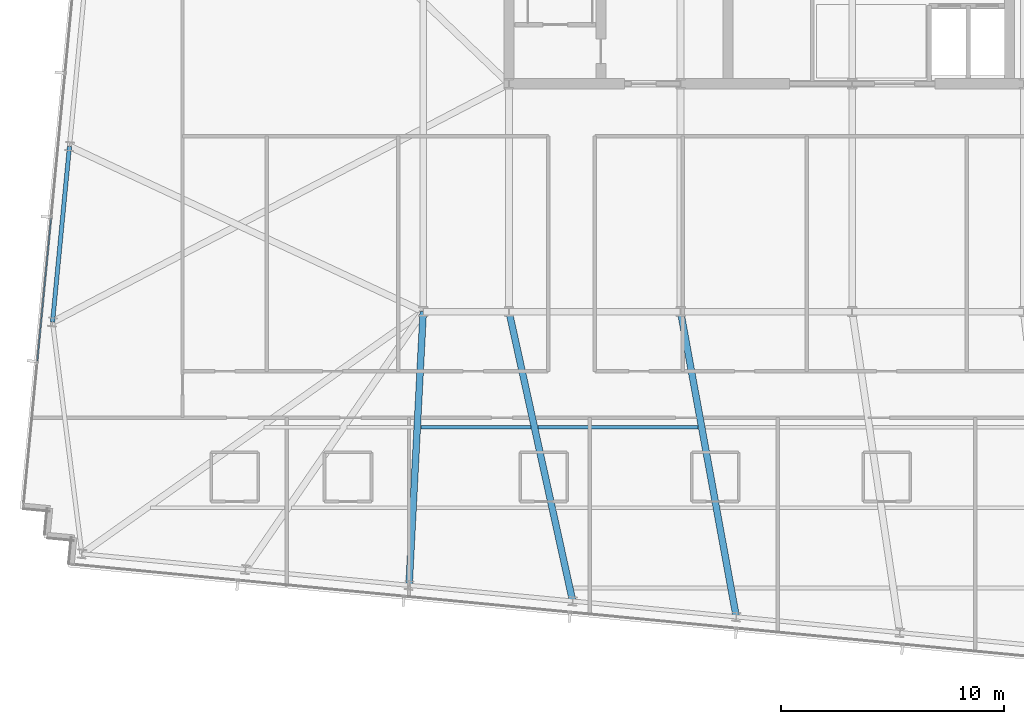
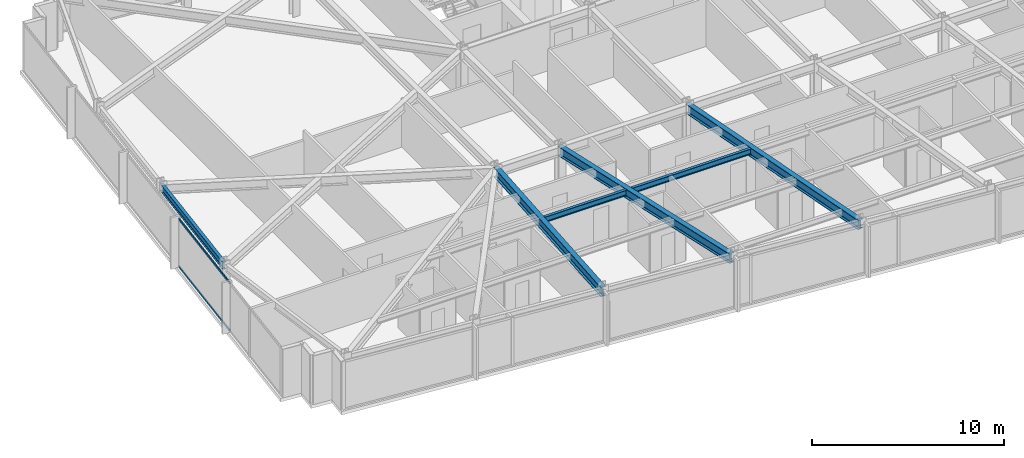
# One storey, part 7 of 38: 6 beams, 2 members, 1 element without a shape of its own.
"""IFC4 building model written with IfcOpenShell, lengths in metres."""

import ifcopenshell
import ifcopenshell.guid

model = None  # the IFC model being written
_history = None  # IfcOwnerHistory: only IFC2X3 demands one
_inside = {}  # id of a spatial element -> (the spatial element, [elements in it])
_under = {}  # id of a project, library or spatial element -> (it, [spatial elements below it])
_declared = {}  # id of a project -> (the project, [libraries it declares])
_typed = {}  # id of a type object -> (the type object, [elements of that type])
_made_of = {}  # id of a material, layer set ... -> (it, [elements and type objects made of it])


def new_model(schema):
    """Start an empty IFC model of exactly this schema.

    Asked for "IFC4X3", IfcOpenShell would pick the latest addendum, in which some entities
    have other attributes; the version numbers below select the first issue.
    IFC2X3 requires an IfcOwnerHistory on every rooted entity: one is made here for all.
    """
    global model, _history
    if schema == "IFC4X3":
        model = ifcopenshell.file(schema_version=(4, 3, 0, 0))
    else:
        model = ifcopenshell.file(schema=schema)
    _inside.clear()
    _under.clear()
    _declared.clear()
    _typed.clear()
    _made_of.clear()
    _history = None
    if model.schema == "IFC2X3":
        org = make("IfcOrganization", Name="unknown")
        user = make(
            "IfcPersonAndOrganization",
            ThePerson=make("IfcPerson", FamilyName="unknown"),
            TheOrganization=org,
        )
        app = make(
            "IfcApplication",
            ApplicationDeveloper=org,
            Version="unknown",
            ApplicationFullName="unknown",
            ApplicationIdentifier="unknown",
        )
        _history = make(
            "IfcOwnerHistory",
            OwningUser=user,
            OwningApplication=app,
            ChangeAction="ADDED",
            CreationDate=0,
        )
    return model


def make(cls, **values):
    """One entity of the class cls with the attributes given. An attribute that is None is left unset."""
    return model.create_entity(
        cls, **{name: value for name, value in values.items() if value is not None}
    )


def rooted(cls, **values):
    """An entity with a GlobalId (a new one), such as an element, a storey or a relation."""
    return make(cls, GlobalId=ifcopenshell.guid.new(), OwnerHistory=_history, **values)


def si_unit(unit_type, name, prefix=None):
    """IfcSIUnit, for example si_unit("LENGTHUNIT", "METRE", prefix="MILLI")."""
    return make("IfcSIUnit", UnitType=unit_type, Prefix=prefix, Name=name)


def assignment(units):
    """IfcUnitAssignment: the units of a project."""
    return None if units is None else make("IfcUnitAssignment", Units=units)


def point(xyz):
    """IfcCartesianPoint."""
    return None if xyz is None else make("IfcCartesianPoint", Coordinates=xyz)


def direction(xyz):
    """IfcDirection."""
    return None if xyz is None else make("IfcDirection", DirectionRatios=xyz)


def frame(location, z_axis=None, x_axis=None):
    """IfcAxis2Placement3D, a coordinate frame: its origin and axes. An axis left out is left unset."""
    return make(
        "IfcAxis2Placement3D",
        Location=point(location),
        Axis=direction(z_axis),
        RefDirection=direction(x_axis),
    )


def frame_2d(location, x_axis=None):
    """IfcAxis2Placement2D, a coordinate frame in the plane: its origin and x axis."""
    return make(
        "IfcAxis2Placement2D", Location=point(location), RefDirection=direction(x_axis)
    )


def origin():
    """The frame at (0, 0, 0) with its axes left unset."""
    return frame((0.0, 0.0, 0.0))


def origin_2d():
    """The frame at (0, 0) in the plane with its x axis left unset."""
    return frame_2d((0.0, 0.0))


def place(relative_to, where):
    """IfcLocalPlacement: puts the frame where relative to a parent placement (None: the world)."""
    return make(
        "IfcLocalPlacement", PlacementRelTo=relative_to, RelativePlacement=where
    )


def context(
    kind, dimensions, precision=None, world=None, true_north=None, identifier=None
):
    """IfcGeometricRepresentationContext, for example the 3D "Model" context."""
    return make(
        "IfcGeometricRepresentationContext",
        ContextIdentifier=identifier,
        ContextType=kind,
        CoordinateSpaceDimension=dimensions,
        Precision=precision,
        WorldCoordinateSystem=world,
        TrueNorth=true_north,
    )


def subcontext(parent, identifier, kind, view, scale=None):
    """IfcGeometricRepresentationSubContext, for example "Body" below "Model"."""
    return make(
        "IfcGeometricRepresentationSubContext",
        ContextIdentifier=identifier,
        ContextType=kind,
        ParentContext=parent,
        TargetScale=scale,
        TargetView=view,
    )


def project(units=None, contexts=None):
    """IfcProject with its units and contexts."""
    return rooted(
        "IfcProject",
        Name="project",
        RepresentationContexts=contexts,
        UnitsInContext=assignment(units),
    )


def spatial(cls, under=None, at=None, **own):
    """A site, building, storey or space (cls), placed at a placement, below another one or the project."""
    s = rooted(cls, ObjectPlacement=at, **own)
    if under is not None:
        _under.setdefault(under.id(), (under, []))[1].append(s)
    return s


def profile(cls, at=None, kind="AREA", **sizes):
    """A parametric profile (cls). Its sizes go by their IFC names, for example OverallWidth=200.0."""
    return make(cls, ProfileType=kind, Position=at, **sizes)


def hollow_rectangle(**sizes):
    """IfcRectangleHollowProfileDef."""
    return profile("IfcRectangleHollowProfileDef", **sizes)


def i_section(**sizes):
    """IfcIShapeProfileDef."""
    return profile("IfcIShapeProfileDef", **sizes)


def extrude(swept, where, along, depth):
    """IfcExtrudedAreaSolid: the profile swept, set in the frame where, extruded along a direction by depth."""
    return make(
        "IfcExtrudedAreaSolid",
        SweptArea=swept,
        Position=where,
        ExtrudedDirection=direction(along),
        Depth=depth,
    )


def shape(context_of_items, identifier, shape_type, items):
    """IfcShapeRepresentation: the items that make up one representation, for example the "Body"."""
    return make(
        "IfcShapeRepresentation",
        ContextOfItems=context_of_items,
        RepresentationIdentifier=identifier,
        RepresentationType=shape_type,
        Items=items,
    )


def material(Name=None, Category=None):
    """IfcMaterial."""
    return make("IfcMaterial", Name=Name, Category=Category)


def material_profile(
    of_material, cross_section, Name=None, Category=None, Priority=None
):
    """IfcMaterialProfile: a cross section and its material."""
    return make(
        "IfcMaterialProfile",
        Name=Name,
        Material=of_material,
        Profile=cross_section,
        Priority=Priority,
        Category=Category,
    )


def profile_set(profiles, Name=None, composite=None):
    """IfcMaterialProfileSet."""
    return make(
        "IfcMaterialProfileSet",
        Name=Name,
        MaterialProfiles=profiles,
        CompositeProfile=composite,
    )


def made_of(thing, what):
    """Note that an element or type object is made of a material, layer set ...; save() writes the relation."""
    if what is not None:
        _made_of.setdefault(what.id(), (what, []))[1].append(thing)
    return thing


def type_object(cls, material=None, **own):
    """A type object (cls), such as IfcWallType, which elements share."""
    return made_of(rooted(cls, **own), material)


def element(
    cls,
    number,
    at=None,
    inside=None,
    cuts=None,
    type_object=None,
    material=None,
    context=None,
    identifier="Body",
    shape_type=None,
    held_by="IfcProductDefinitionShape",
    body=None,
    shapes=None,
    **own,
):
    """One element of the class cls, such as IfcWall. Its Tag is "e" and its number.

    at: its placement. inside: the storey or other place that contains it. cuts: it is an
    opening in that element (IfcRelVoidsElement). A single representation is given by context,
    identifier, shape_type and body (its items); several are given by shapes. held_by: the class
    of the entity that holds the representations. save() writes the other relations.
    """
    e = rooted(cls, Tag="e%d" % number, ObjectPlacement=at, **own)
    if body is not None:
        shapes = [shape(context, identifier, shape_type, body)]
    if shapes is not None:
        e.Representation = make(held_by, Representations=shapes)
    if inside is not None:
        _inside.setdefault(inside.id(), (inside, []))[1].append(e)
    if cuts is not None:
        rooted(
            "IfcRelVoidsElement", RelatingBuildingElement=cuts, RelatedOpeningElement=e
        )
    if type_object is not None:
        _typed.setdefault(type_object.id(), (type_object, []))[1].append(e)
    return made_of(e, material)


def aggregate(whole, parts):
    """IfcRelAggregates: a whole, such as a stair, and the parts it consists of."""
    return rooted("IfcRelAggregates", RelatingObject=whole, RelatedObjects=parts)


def save(model, path):
    """Write the relations noted so far, then the file.

    IfcRelAggregates (storeys below a building ...), IfcRelContainedInSpatialStructure (elements
    in a storey), IfcRelDefinesByType, IfcRelAssociatesMaterial and IfcRelDeclares: one each for
    every whole, place, type object, material and project.
    """
    for whole, parts in _under.values():
        aggregate(whole, parts)
    for where, things in _inside.values():
        rooted(
            "IfcRelContainedInSpatialStructure",
            RelatedElements=things,
            RelatingStructure=where,
        )
    for kind, things in _typed.values():
        rooted("IfcRelDefinesByType", RelatedObjects=things, RelatingType=kind)
    for what, things in _made_of.values():
        rooted("IfcRelAssociatesMaterial", RelatedObjects=things, RelatingMaterial=what)
    for by, libraries in _declared.values():
        rooted("IfcRelDeclares", RelatingContext=by, RelatedDefinitions=libraries)
    model.write(path)


model = new_model("IFC4")

# Units and contexts
model_context = context("Model", 3, precision=1e-05, world=origin(), true_north=direction((0.0, 1.0)))
body_context = subcontext(model_context, "Body", "Model", "MODEL_VIEW")
ifc_project = project(units=[si_unit("LENGTHUNIT", "METRE"), si_unit("AREAUNIT", "SQUARE_METRE"), si_unit("VOLUMEUNIT", "CUBIC_METRE"), si_unit("PLANEANGLEUNIT", "RADIAN"), si_unit("MASSUNIT", "GRAM", prefix="KILO")], contexts=[model_context])

# Site, building, storey
site_placement = place(None, origin())
site = spatial("IfcSite", under=ifc_project, at=site_placement, CompositionType="ELEMENT")
building_placement = place(site_placement, origin())
building = spatial("IfcBuilding", under=site, at=building_placement, Name="Yelkora Congress Tower", CompositionType="ELEMENT")
storey_placement = place(building_placement, frame((0.0, 0.0, 185.300048828125)))
storey = spatial("IfcBuildingStorey", under=building, at=storey_placement, Name="L51", CompositionType="ELEMENT", Elevation=185.300048828125)

# Beams
ifc_material_1 = material(Name="Steel S355J2", Category="steel")
ifc_material_profile_1 = material_profile(ifc_material_1, i_section(OverallWidth=0.300048828125, OverallDepth=0.60009765625, WebThickness=0.015380859375, FlangeThickness=0.030029296875, FilletRadius=0.027099609375, at=origin_2d()), Name="HEB 600")
ifc_profile_set_1 = profile_set([ifc_material_profile_1], Name="Steel S355J2")
beam_type_1 = type_object("IfcBeamType", Name="BM-GIRD-HEB600", PredefinedType="BEAM", material=ifc_profile_set_1)
beam_1_placement = place(storey_placement, frame((18.56591796875, 12.947021484375, 2.780029296875), z_axis=(0.051676299428, 0.99866388744, 0.0), x_axis=(-0.99866388744, 0.051676299428, 0.0)))
element("IfcBeam", 1, at=beam_1_placement, inside=storey, type_object=beam_type_1, Name="L51 Primary Frame Girder S03", PredefinedType="BEAM", context=body_context, shape_type="SweptSolid", body=[
    extrude(i_section(OverallWidth=0.300048828125, OverallDepth=0.60009765625, WebThickness=0.015380859375, FlangeThickness=0.030029296875, FilletRadius=0.027099609375, at=origin_2d()), origin(), (0.0, 0.0, 1.0), 12.269287109375),
])
beam_2_placement = place(storey_placement, frame((25.888916015625, 12.24169921875, 2.780029296875), z_axis=(-0.214722420774, 0.976675115899, 0.0), x_axis=(-0.976675115899, -0.214722420774, 0.0)))
element("IfcBeam", 2, at=beam_2_placement, inside=storey, type_object=beam_type_1, Name="L51 Primary Frame Girder S04", PredefinedType="BEAM", context=body_context, shape_type="SweptSolid", body=[
    extrude(i_section(OverallWidth=0.300048828125, OverallDepth=0.60009765625, WebThickness=0.015380859375, FlangeThickness=0.030029296875, FilletRadius=0.027099609375, at=origin_2d()), origin(), (0.0, 0.0, 1.0), 13.267822265625),
])
beam_3_placement = place(storey_placement, frame((33.21240234375, 11.53662109375, 2.780029296875), z_axis=(-0.179456208566, 0.983765962619, 0.0), x_axis=(-0.983765962619, -0.179456208566, 0.0)))
element("IfcBeam", 3, at=beam_3_placement, inside=storey, type_object=beam_type_1, Name="L51 Primary Frame Girder S05", PredefinedType="BEAM", context=body_context, shape_type="SweptSolid", body=[
    extrude(i_section(OverallWidth=0.300048828125, OverallDepth=0.60009765625, WebThickness=0.015380859375, FlangeThickness=0.030029296875, FilletRadius=0.027099609375, at=origin_2d()), origin(), (0.0, 0.0, 1.0), 13.888916015625),
])
ifc_material_profile_2 = material_profile(ifc_material_1, i_section(OverallWidth=0.169921875, OverallDepth=0.360107421875, WebThickness=0.008056640625, FlangeThickness=0.0126953125, FilletRadius=0.01806640625, at=origin_2d()), Name="IPE 360")
ifc_profile_set_2 = profile_set([ifc_material_profile_2], Name="Steel S355J2")
beam_type_2 = type_object("IfcBeamType", Name="BM-JOIST-IPE360", PredefinedType="JOIST", material=ifc_profile_set_2)
beam_4_placement = place(storey_placement, frame((19.092041015625, 20.021240234375, 2.89990234375), z_axis=(1.0, 0.0, 0.0), x_axis=(0.0, 1.0, 0.0)))
element("IfcBeam", 4, at=beam_4_placement, inside=storey, type_object=beam_type_2, Name="L51 Composite Floor Joist 14", PredefinedType="JOIST", context=body_context, shape_type="SweptSolid", body=[
    extrude(i_section(OverallWidth=0.169921875, OverallDepth=0.360107421875, WebThickness=0.008056640625, FlangeThickness=0.0126953125, FilletRadius=0.01806640625, at=origin_2d()), origin(), (0.0, 0.0, 1.0), 4.926513671875),
])
beam_5_placement = place(storey_placement, frame((24.338623046875, 20.021240234375, 2.89990234375), z_axis=(1.0, 0.0, 0.0), x_axis=(0.0, 1.0, 0.0)))
element("IfcBeam", 5, at=beam_5_placement, inside=storey, type_object=beam_type_2, Name="L51 Composite Floor Joist 15", PredefinedType="JOIST", context=body_context, shape_type="SweptSolid", body=[
    extrude(i_section(OverallWidth=0.169921875, OverallDepth=0.360107421875, WebThickness=0.008056640625, FlangeThickness=0.0126953125, FilletRadius=0.01806640625, at=origin_2d()), origin(), (0.0, 0.0, 1.0), 7.166015625),
])
ifc_material_profile_3 = material_profile(ifc_material_1, i_section(OverallWidth=0.18994140625, OverallDepth=0.449951171875, WebThickness=0.009521484375, FlangeThickness=0.0146484375, FilletRadius=0.02099609375, at=origin_2d()), Name="IPE 450")
ifc_profile_set_3 = profile_set([ifc_material_profile_3], Name="Steel S355J2")
beam_type_3 = type_object("IfcBeamType", Name="BM-SPAN-IPE450", PredefinedType="SPANDREL", material=ifc_profile_set_3)
beam_6_placement = place(storey_placement, frame((3.364501953125, 32.594482421875, 2.85498046875), z_axis=(-0.095831353931, -0.995397584689, 0.0), x_axis=(0.995397584689, -0.095831353931, 0.0)))
element("IfcBeam", 6, at=beam_6_placement, inside=storey, type_object=beam_type_3, Name="L51 Perimeter Beam 18", PredefinedType="SPANDREL", context=body_context, shape_type="SweptSolid", body=[
    extrude(i_section(OverallWidth=0.18994140625, OverallDepth=0.449951171875, WebThickness=0.009521484375, FlangeThickness=0.0146484375, FilletRadius=0.02099609375, at=origin_2d()), origin(), (0.0, 0.0, 1.0), 7.900146484375),
])

# Curtain wall, members
ifc_material_2 = material(Name="Anodised aluminium and insulated glass", Category="aluminium")
curtain_wall_type = type_object("IfcCurtainWallType", Name="CW-SYS-B3", PredefinedType="NOTDEFINED", material=ifc_material_2)
curtain_wall_placement = place(storey_placement, origin())
curtain_wall = element("IfcCurtainWall", 7, at=curtain_wall_placement, inside=storey, type_object=curtain_wall_type, Name="L51 Unitised Curtain Wall 5", PredefinedType="NOTDEFINED")
ifc_material_3 = material(Name="Anodised aluminium 6063-T6", Category="aluminium")
ifc_material_profile_4 = material_profile(ifc_material_3, hollow_rectangle(XDim=0.06005859375, YDim=0.1298828125, WallThickness=0.00390625, at=origin_2d()), Name="ALU 60x130x4")
ifc_profile_set_4 = profile_set([ifc_material_profile_4], Name="Anodised aluminium 6063-T6")
member_type = type_object("IfcMemberType", Name="MEM-TR-B3", PredefinedType="USERDEFINED", material=ifc_profile_set_4)
member_1_placement = place(storey_placement, frame((1.92822265625, 22.996826171875, 0.030029296875), z_axis=(0.095843682057, 0.995396397728, 0.0), x_axis=(-0.995396397728, 0.095843682057, 0.0)))
member_1 = element("IfcMember", 8, at=member_1_placement, type_object=member_type, Name="CW-B3 transom 2.1", ObjectType="TRANSOM", PredefinedType="USERDEFINED", context=body_context, shape_type="SweptSolid", body=[
    extrude(hollow_rectangle(XDim=0.06005859375, YDim=0.1298828125, WallThickness=0.00390625, at=origin_2d()), origin(), (0.0, 0.0, 1.0), 6.4140625),
])
member_2_placement = place(storey_placement, frame((1.92822265625, 22.996826171875, 3.050048828125), z_axis=(0.095843682057, 0.995396397728, 0.0), x_axis=(-0.995396397728, 0.095843682057, 0.0)))
member_2 = element("IfcMember", 9, at=member_2_placement, type_object=member_type, Name="CW-B3 transom 2.2", ObjectType="TRANSOM", PredefinedType="USERDEFINED", context=body_context, shape_type="SweptSolid", body=[
    extrude(hollow_rectangle(XDim=0.06005859375, YDim=0.1298828125, WallThickness=0.00390625, at=origin_2d()), origin(), (0.0, 0.0, 1.0), 6.4140625),
])
aggregate(curtain_wall, [member_1, member_2])

save(model, "model.ifc")
